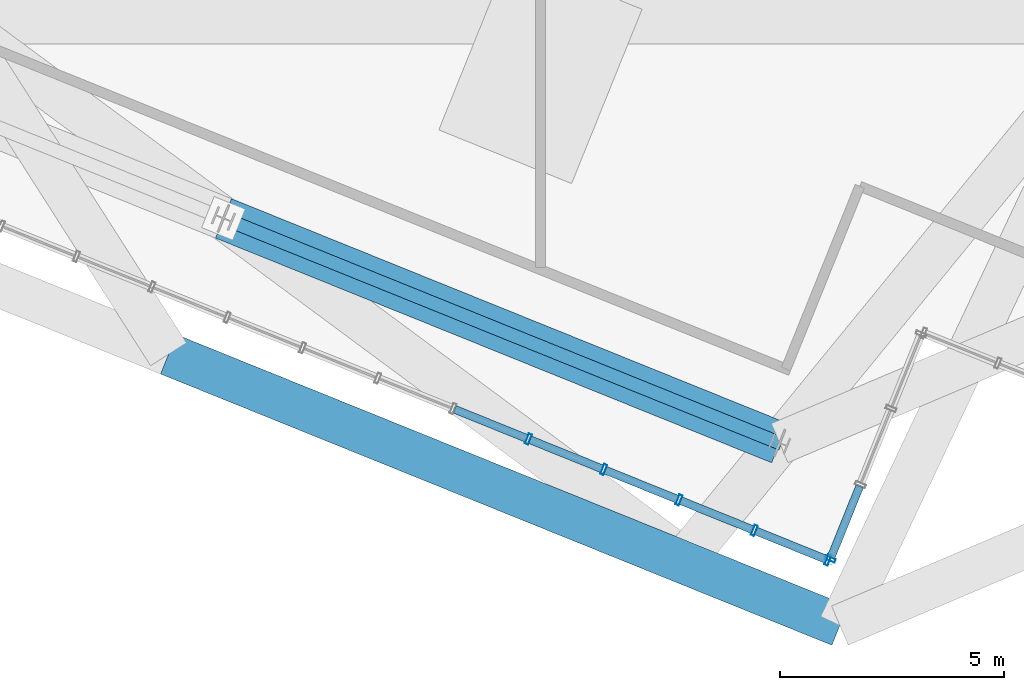
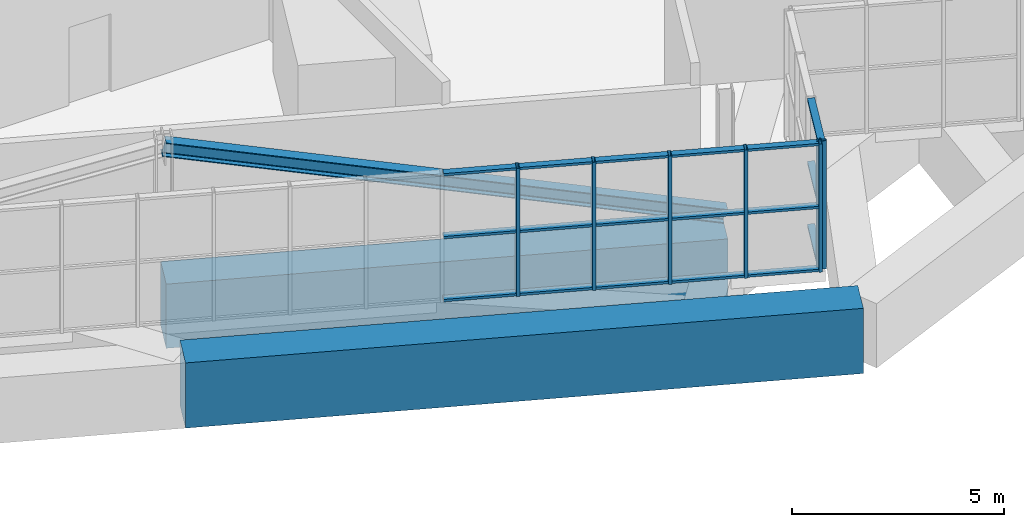
# One storey, part 7 of 35: 25 members, 2 beams, 2 elements without a shape of their own.
"""IFC4 building model written with IfcOpenShell, lengths in metres."""

from ifc_helpers import new_model, si_unit, direction, frame, origin, origin_2d, place, context, subcontext, project, spatial, rectangle, hollow_rectangle, i_section, extrude, source, transform, mapped, material, layer, layer_set, material_profile, profile_set, type_object, element, aggregate, save


model = new_model("IFC4")

# Units and contexts
model_context = context("Model", 3, precision=1e-05, world=origin(), true_north=direction((0.0, 1.0)))
body_context = subcontext(model_context, "Body", "Model", "MODEL_VIEW")
ifc_project = project(units=[si_unit("LENGTHUNIT", "METRE"), si_unit("AREAUNIT", "SQUARE_METRE"), si_unit("VOLUMEUNIT", "CUBIC_METRE"), si_unit("PLANEANGLEUNIT", "RADIAN"), si_unit("MASSUNIT", "GRAM", prefix="KILO"), si_unit("THERMODYNAMICTEMPERATUREUNIT", "KELVIN")], contexts=[model_context])

# Site, building, storey
site_placement = place(None, origin())
site = spatial("IfcSite", under=ifc_project, at=site_placement, CompositionType="ELEMENT")
building_placement = place(site_placement, origin())
building = spatial("IfcBuilding", under=site, at=building_placement, Name="Kosmvard Interchange Tower", CompositionType="ELEMENT")
storey_placement = place(building_placement, frame((0.0, 0.0, 321.60009765625)))
storey = spatial("IfcBuildingStorey", under=building, at=storey_placement, Name="L79", CompositionType="ELEMENT", Elevation=321.60009765625)

# Beams
ifc_material_1 = material(Name="Concrete C60/75", Category="concrete")
ifc_material_profile_1 = material_profile(ifc_material_1, rectangle(XDim=0.949951171875, YDim=1.8798828125, at=origin_2d()), Name="TG 950x1880")
ifc_profile_set_1 = profile_set([ifc_material_profile_1], Name="Concrete C60/75")
beam_type_1 = type_object("IfcBeamType", Name="Upper Long-Span Transfer Girder 950x1880 C60/75", PredefinedType="USERDEFINED", material=ifc_profile_set_1)
shared_shape_1 = source(origin(), body_context, "Body", "SweptSolid", [
    extrude(rectangle(XDim=0.949951171875, YDim=1.8798828125, at=origin_2d()), origin(), (0.0, 0.0, 1.0), 16.1748046875),
])
beam_1_placement = place(storey_placement, frame((-8.306884765625, -20.560302734375, -0.940185546875), z_axis=(0.92718135387, -0.374612782798, 0.0), x_axis=(0.374612782798, 0.92718135387, 0.0)))
element("IfcBeam", 1, at=beam_1_placement, inside=storey, type_object=beam_type_1, Name="BM-L79-LR11", ObjectType="TRANSFER_GIRDER", PredefinedType="USERDEFINED", context=body_context, shape_type="MappedRepresentation", body=[
    mapped(shared_shape_1, transform((0.0, 0.0, 0.0), scale=1.0)),
])
ifc_material_profile_2 = material_profile(ifc_material_1, rectangle(XDim=0.949951171875, YDim=1.85009765625, at=origin_2d()), Name="TG 950x1850")
ifc_profile_set_2 = profile_set([ifc_material_profile_2], Name="Concrete C60/75")
beam_type_2 = type_object("IfcBeamType", Name="Upper Transfer Ring Girder 950x1850 C60/75", PredefinedType="USERDEFINED", material=ifc_profile_set_2)
shared_shape_2 = source(origin(), body_context, "Body", "SweptSolid", [
    extrude(rectangle(XDim=0.949951171875, YDim=1.85009765625, at=origin_2d()), origin(), (0.0, 0.0, 1.0), 13.400146484375),
])
beam_2_placement = place(storey_placement, frame((-7.080078125, -17.523681640625, -0.925048828125), z_axis=(0.927183187789, -0.374608243744, 0.0), x_axis=(0.374608243744, 0.927183187789, 0.0)))
element("IfcBeam", 2, at=beam_2_placement, inside=storey, type_object=beam_type_2, Name="BM-L79-PR11", ObjectType="TRANSFER_GIRDER", PredefinedType="USERDEFINED", context=body_context, shape_type="MappedRepresentation", body=[
    mapped(shared_shape_2, transform((0.0, 0.0, 0.0), scale=1.0)),
])

# Member
ifc_material_2 = material(Name="Steel S355", Category="steel")
ifc_material_profile_3 = material_profile(ifc_material_2, i_section(OverallWidth=0.300048828125, OverallDepth=0.39990234375, WebThickness=0.013427734375, FlangeThickness=0.02392578125, FilletRadius=0.027099609375, at=origin_2d()), Name="HEB 400")
ifc_profile_set_3 = profile_set([ifc_material_profile_3], Name="Steel S355")
member_type_1 = type_object("IfcMemberType", Name="Lantern Crown Diagrid Brace HEB 400 S355", PredefinedType="BRACE", material=ifc_profile_set_3)
shared_shape_3 = source(origin(), body_context, "Body", "SweptSolid", [
    extrude(i_section(OverallWidth=0.300048828125, OverallDepth=0.39990234375, WebThickness=0.013427734375, FlangeThickness=0.02392578125, FilletRadius=0.027099609375, at=origin_2d()), origin(), (0.0, 0.0, 1.0), 13.783935546875),
])
member_1_placement = place(storey_placement, frame((5.34423828125, -22.54345703125, 0.419921875), z_axis=(-0.901367558742, 0.364177999122, 0.234330768366), x_axis=(-0.374608243744, -0.927183187789, 0.0)))
element("IfcMember", 3, at=member_1_placement, inside=storey, type_object=member_type_1, Name="L79 Crown Lantern Diagrid Brace W2", PredefinedType="BRACE", context=body_context, shape_type="MappedRepresentation", body=[
    mapped(shared_shape_3, transform((0.0, 0.0, 0.0), scale=1.0)),
])

# Curtain wall, members
ifc_material_3 = material(Name="Architectural anodised aluminium", Category="aluminium")
ifc_layer = layer(ifc_material_3, 0.25, Name="Architectural anodised aluminium")
ifc_layer_set = layer_set([ifc_layer], Name="Architectural anodised aluminium")
curtain_wall_type = type_object("IfcCurtainWallType", Name="CW-6 Illuminated Crown Lantern Curtain Wall", PredefinedType="NOTDEFINED", material=ifc_layer_set)
curtain_wall_1_placement = place(storey_placement, origin())
curtain_wall_1 = element("IfcCurtainWall", 4, at=curtain_wall_1_placement, inside=storey, type_object=curtain_wall_type, Name="L79 Crown Lantern Glazing Face 10", PredefinedType="NOTDEFINED")
ifc_material_profile_4 = material_profile(ifc_material_3, hollow_rectangle(XDim=0.239990234375, YDim=0.080078125, WallThickness=0.006103515625, at=origin_2d()), Name="CWM 240x80x6")
ifc_profile_set_4 = profile_set([ifc_material_profile_4], Name="Architectural anodised aluminium")
member_type_2 = type_object("IfcMemberType", Name="Lantern & Observation CW Mullion 240x80 Aluminium", PredefinedType="MULLION", material=ifc_profile_set_4)
shared_shape_4 = source(origin(), body_context, "Body", "SweptSolid", [
    extrude(hollow_rectangle(XDim=0.239990234375, YDim=0.080078125, WallThickness=0.006103515625, at=origin_2d()), origin(), (0.0, 0.0, 1.0), 3.699951171875),
])
member_2_placement = place(storey_placement, frame((-0.267578125, -22.454833984375, 0.0), z_axis=(0.0, 0.0, 1.0), x_axis=(0.374606584758, 0.927183858065, 0.0)))
member_2 = element("IfcMember", 5, at=member_2_placement, type_object=member_type_2, Name="CW-6 mullion 14", PredefinedType="MULLION", context=body_context, shape_type="MappedRepresentation", body=[
    mapped(shared_shape_4, transform((0.0, 0.0, 0.0), scale=1.0)),
])
member_3_placement = place(storey_placement, frame((1.414306640625, -23.13427734375, 0.0), z_axis=(0.0, 0.0, 1.0), x_axis=(0.374606584758, 0.927183858065, 0.0)))
member_3 = element("IfcMember", 6, at=member_3_placement, type_object=member_type_2, Name="CW-6 mullion 15", PredefinedType="MULLION", context=body_context, shape_type="MappedRepresentation", body=[
    mapped(shared_shape_4, transform((0.0, 0.0, 0.0), scale=1.0)),
])
member_4_placement = place(storey_placement, frame((3.096435546875, -23.81396484375, 0.0), z_axis=(0.0, 0.0, 1.0), x_axis=(0.374606584758, 0.927183858065, 0.0)))
member_4 = element("IfcMember", 7, at=member_4_placement, type_object=member_type_2, Name="CW-6 mullion 16", PredefinedType="MULLION", context=body_context, shape_type="MappedRepresentation", body=[
    mapped(shared_shape_4, transform((0.0, 0.0, 0.0), scale=1.0)),
])
member_5_placement = place(storey_placement, frame((4.7783203125, -24.49365234375, 0.0), z_axis=(0.0, 0.0, 1.0), x_axis=(0.374606584758, 0.927183858065, 0.0)))
member_5 = element("IfcMember", 8, at=member_5_placement, type_object=member_type_2, Name="CW-6 mullion 17", PredefinedType="MULLION", context=body_context, shape_type="MappedRepresentation", body=[
    mapped(shared_shape_4, transform((0.0, 0.0, 0.0), scale=1.0)),
])
member_6_placement = place(storey_placement, frame((6.42333984375, -25.158203125, 0.0), z_axis=(0.0, 0.0, 1.0), x_axis=(0.374606584758, 0.927183858065, 0.0)))
member_6 = element("IfcMember", 9, at=member_6_placement, type_object=member_type_2, Name="CW-6 mullion 18", PredefinedType="MULLION", context=body_context, shape_type="MappedRepresentation", body=[
    mapped(shared_shape_4, transform((0.0, 0.0, 0.0), scale=1.0)),
])

# Curtain wall, member
curtain_wall_2_placement = place(storey_placement, origin())
curtain_wall_2 = element("IfcCurtainWall", 10, at=curtain_wall_2_placement, inside=storey, type_object=curtain_wall_type, Name="L79 Crown Lantern Glazing Face 11", PredefinedType="NOTDEFINED")
member_7_placement = place(storey_placement, frame((6.475341796875, -25.135986328125, 0.0), z_axis=(0.0, 0.0, 1.0), x_axis=(-0.92718386612, 0.374606564822, 0.0)))
member_7 = element("IfcMember", 11, at=member_7_placement, type_object=member_type_2, Name="CW-6 mullion 1", PredefinedType="MULLION", context=body_context, shape_type="MappedRepresentation", body=[
    mapped(shared_shape_4, transform((0.0, 0.0, 0.0), scale=1.0)),
])

# Member
ifc_material_profile_5 = material_profile(ifc_material_3, hollow_rectangle(XDim=0.179931640625, YDim=0.070068359375, WallThickness=0.0048828125, at=origin_2d()), Name="CWT 180x70x5")
ifc_profile_set_5 = profile_set([ifc_material_profile_5], Name="Architectural anodised aluminium")
member_type_3 = type_object("IfcMemberType", Name="Heavy Lantern CW Transom 180x70 Aluminium", PredefinedType="USERDEFINED", material=ifc_profile_set_5)
shared_shape_5 = source(origin(), body_context, "Body", "SweptSolid", [
    extrude(hollow_rectangle(XDim=0.179931640625, YDim=0.070068359375, WallThickness=0.0048828125, at=origin_2d()), origin(), (0.0, 0.0, 1.0), 1.694091796875),
])
member_8_placement = place(storey_placement, frame((4.8154296875, -24.508544921875, 0.034912109375), z_axis=(0.927209116514, -0.374544061831, 0.0), x_axis=(0.374544061831, 0.927209116514, 0.0)))
member_8 = element("IfcMember", 12, at=member_8_placement, type_object=member_type_3, Name="CW-6 transom 17.1", ObjectType="TRANSOM", PredefinedType="USERDEFINED", context=body_context, shape_type="MappedRepresentation", body=[
    mapped(shared_shape_5, transform((0.0, 0.0, 0.0), scale=1.0)),
])

member_9_placement = place(storey_placement, frame((4.8154296875, -24.508544921875, 1.849853515625), z_axis=(0.927209116514, -0.374544061831, 0.0), x_axis=(0.374544061831, 0.927209116514, 0.0)))
member_9 = element("IfcMember", 13, at=member_9_placement, type_object=member_type_3, Name="CW-6 transom 17.2", ObjectType="TRANSOM", PredefinedType="USERDEFINED", context=body_context, shape_type="MappedRepresentation", body=[
    mapped(shared_shape_5, transform((0.0, 0.0, 0.0), scale=1.0)),
])

member_10_placement = place(storey_placement, frame((4.8154296875, -24.508544921875, 3.664794921875), z_axis=(0.927209116514, -0.374544061831, 0.0), x_axis=(0.374544061831, 0.927209116514, 0.0)))
member_10 = element("IfcMember", 14, at=member_10_placement, type_object=member_type_3, Name="CW-6 transom 17.3", ObjectType="TRANSOM", PredefinedType="USERDEFINED", context=body_context, shape_type="MappedRepresentation", body=[
    mapped(shared_shape_5, transform((0.0, 0.0, 0.0), scale=1.0)),
])

shared_shape_6 = source(origin(), body_context, "Body", "SweptSolid", [
    extrude(hollow_rectangle(XDim=0.179931640625, YDim=0.070068359375, WallThickness=0.0048828125, at=origin_2d()), origin(), (0.0, 0.0, 1.0), 1.734130859375),
])
member_11_placement = place(storey_placement, frame((-1.91259765625, -21.790283203125, 0.034912109375), z_axis=(0.927228675447, -0.374495638732, 0.0), x_axis=(0.374495638732, 0.927228675447, 0.0)))
member_11 = element("IfcMember", 15, at=member_11_placement, type_object=member_type_3, Name="CW-6 transom 13.1", ObjectType="TRANSOM", PredefinedType="USERDEFINED", context=body_context, shape_type="MappedRepresentation", body=[
    mapped(shared_shape_6, transform((0.0, 0.0, 0.0), scale=1.0)),
])

member_12_placement = place(storey_placement, frame((-1.91259765625, -21.790283203125, 1.849853515625), z_axis=(0.927228675447, -0.374495638732, 0.0), x_axis=(0.374495638732, 0.927228675447, 0.0)))
member_12 = element("IfcMember", 16, at=member_12_placement, type_object=member_type_3, Name="CW-6 transom 13.2", ObjectType="TRANSOM", PredefinedType="USERDEFINED", context=body_context, shape_type="MappedRepresentation", body=[
    mapped(shared_shape_6, transform((0.0, 0.0, 0.0), scale=1.0)),
])

member_13_placement = place(storey_placement, frame((-1.91259765625, -21.790283203125, 3.664794921875), z_axis=(0.927228675447, -0.374495638732, 0.0), x_axis=(0.374495638732, 0.927228675447, 0.0)))
member_13 = element("IfcMember", 17, at=member_13_placement, type_object=member_type_3, Name="CW-6 transom 13.3", ObjectType="TRANSOM", PredefinedType="USERDEFINED", context=body_context, shape_type="MappedRepresentation", body=[
    mapped(shared_shape_6, transform((0.0, 0.0, 0.0), scale=1.0)),
])

member_14_placement = place(storey_placement, frame((1.451416015625, -23.1494140625, 0.034912109375), z_axis=(0.927179782522, -0.374616671924, 0.0), x_axis=(0.374616671924, 0.927179782522, 0.0)))
member_14 = element("IfcMember", 18, at=member_14_placement, type_object=member_type_3, Name="CW-6 transom 15.1", ObjectType="TRANSOM", PredefinedType="USERDEFINED", context=body_context, shape_type="MappedRepresentation", body=[
    mapped(shared_shape_6, transform((0.0, 0.0, 0.0), scale=1.0)),
])

member_15_placement = place(storey_placement, frame((1.451416015625, -23.1494140625, 1.849853515625), z_axis=(0.927179782522, -0.374616671924, 0.0), x_axis=(0.374616671924, 0.927179782522, 0.0)))
member_15 = element("IfcMember", 19, at=member_15_placement, type_object=member_type_3, Name="CW-6 transom 15.2", ObjectType="TRANSOM", PredefinedType="USERDEFINED", context=body_context, shape_type="MappedRepresentation", body=[
    mapped(shared_shape_6, transform((0.0, 0.0, 0.0), scale=1.0)),
])

member_16_placement = place(storey_placement, frame((1.451416015625, -23.1494140625, 3.664794921875), z_axis=(0.927179782522, -0.374616671924, 0.0), x_axis=(0.374616671924, 0.927179782522, 0.0)))
member_16 = element("IfcMember", 20, at=member_16_placement, type_object=member_type_3, Name="CW-6 transom 15.3", ObjectType="TRANSOM", PredefinedType="USERDEFINED", context=body_context, shape_type="MappedRepresentation", body=[
    mapped(shared_shape_6, transform((0.0, 0.0, 0.0), scale=1.0)),
])

shared_shape_7 = source(origin(), body_context, "Body", "SweptSolid", [
    extrude(hollow_rectangle(XDim=0.179931640625, YDim=0.070068359375, WallThickness=0.0048828125, at=origin_2d()), origin(), (0.0, 0.0, 1.0), 1.73388671875),
])
member_17_placement = place(storey_placement, frame((-0.23046875, -22.4697265625, 0.034912109375), z_axis=(0.927160021861, -0.374665576032, 0.0), x_axis=(0.374665576032, 0.927160021861, 0.0)))
member_17 = element("IfcMember", 21, at=member_17_placement, type_object=member_type_3, Name="CW-6 transom 14.1", ObjectType="TRANSOM", PredefinedType="USERDEFINED", context=body_context, shape_type="MappedRepresentation", body=[
    mapped(shared_shape_7, transform((0.0, 0.0, 0.0), scale=1.0)),
])

member_18_placement = place(storey_placement, frame((-0.23046875, -22.4697265625, 1.849853515625), z_axis=(0.927160021861, -0.374665576032, 0.0), x_axis=(0.374665576032, 0.927160021861, 0.0)))
member_18 = element("IfcMember", 22, at=member_18_placement, type_object=member_type_3, Name="CW-6 transom 14.2", ObjectType="TRANSOM", PredefinedType="USERDEFINED", context=body_context, shape_type="MappedRepresentation", body=[
    mapped(shared_shape_7, transform((0.0, 0.0, 0.0), scale=1.0)),
])

member_19_placement = place(storey_placement, frame((-0.23046875, -22.4697265625, 3.664794921875), z_axis=(0.927160021861, -0.374665576032, 0.0), x_axis=(0.374665576032, 0.927160021861, 0.0)))
member_19 = element("IfcMember", 23, at=member_19_placement, type_object=member_type_3, Name="CW-6 transom 14.3", ObjectType="TRANSOM", PredefinedType="USERDEFINED", context=body_context, shape_type="MappedRepresentation", body=[
    mapped(shared_shape_7, transform((0.0, 0.0, 0.0), scale=1.0)),
])

member_20_placement = place(storey_placement, frame((3.133544921875, -23.828857421875, 0.034912109375), z_axis=(0.927160021861, -0.374665576032, 0.0), x_axis=(0.374665576032, 0.927160021861, 0.0)))
member_20 = element("IfcMember", 24, at=member_20_placement, type_object=member_type_3, Name="CW-6 transom 16.1", ObjectType="TRANSOM", PredefinedType="USERDEFINED", context=body_context, shape_type="MappedRepresentation", body=[
    mapped(shared_shape_7, transform((0.0, 0.0, 0.0), scale=1.0)),
])

member_21_placement = place(storey_placement, frame((3.133544921875, -23.828857421875, 1.849853515625), z_axis=(0.927160021861, -0.374665576032, 0.0), x_axis=(0.374665576032, 0.927160021861, 0.0)))
member_21 = element("IfcMember", 25, at=member_21_placement, type_object=member_type_3, Name="CW-6 transom 16.2", ObjectType="TRANSOM", PredefinedType="USERDEFINED", context=body_context, shape_type="MappedRepresentation", body=[
    mapped(shared_shape_7, transform((0.0, 0.0, 0.0), scale=1.0)),
])

member_22_placement = place(storey_placement, frame((3.133544921875, -23.828857421875, 3.664794921875), z_axis=(0.927160021861, -0.374665576032, 0.0), x_axis=(0.374665576032, 0.927160021861, 0.0)))
member_22 = element("IfcMember", 26, at=member_22_placement, type_object=member_type_3, Name="CW-6 transom 16.3", ObjectType="TRANSOM", PredefinedType="USERDEFINED", context=body_context, shape_type="MappedRepresentation", body=[
    mapped(shared_shape_7, transform((0.0, 0.0, 0.0), scale=1.0)),
])

aggregate(curtain_wall_1, [member_2, member_3, member_4, member_5, member_6, member_11, member_12, member_13, member_17, member_18, member_19, member_14, member_15, member_16, member_20, member_21, member_22, member_8, member_9, member_10])

shared_shape_8 = source(origin(), body_context, "Body", "SweptSolid", [
    extrude(hollow_rectangle(XDim=0.179931640625, YDim=0.070068359375, WallThickness=0.0048828125, at=origin_2d()), origin(), (0.0, 0.0, 1.0), 1.71337890625),
])
member_23_placement = place(storey_placement, frame((6.490478515625, -25.098876953125, 0.034912109375), z_axis=(0.374484254265, 0.927233273404, 0.0), x_axis=(-0.927233273404, 0.374484254265, 0.0)))
member_23 = element("IfcMember", 27, at=member_23_placement, type_object=member_type_3, Name="CW-6 transom 1.1", ObjectType="TRANSOM", PredefinedType="USERDEFINED", context=body_context, shape_type="MappedRepresentation", body=[
    mapped(shared_shape_8, transform((0.0, 0.0, 0.0), scale=1.0)),
])

member_24_placement = place(storey_placement, frame((6.490478515625, -25.098876953125, 1.849853515625), z_axis=(0.374484254265, 0.927233273404, 0.0), x_axis=(-0.927233273404, 0.374484254265, 0.0)))
member_24 = element("IfcMember", 28, at=member_24_placement, type_object=member_type_3, Name="CW-6 transom 1.2", ObjectType="TRANSOM", PredefinedType="USERDEFINED", context=body_context, shape_type="MappedRepresentation", body=[
    mapped(shared_shape_8, transform((0.0, 0.0, 0.0), scale=1.0)),
])

member_25_placement = place(storey_placement, frame((6.490478515625, -25.098876953125, 3.664794921875), z_axis=(0.374484254265, 0.927233273404, 0.0), x_axis=(-0.927233273404, 0.374484254265, 0.0)))
member_25 = element("IfcMember", 29, at=member_25_placement, type_object=member_type_3, Name="CW-6 transom 1.3", ObjectType="TRANSOM", PredefinedType="USERDEFINED", context=body_context, shape_type="MappedRepresentation", body=[
    mapped(shared_shape_8, transform((0.0, 0.0, 0.0), scale=1.0)),
])

aggregate(curtain_wall_2, [member_7, member_23, member_24, member_25])

save(model, "model.ifc")
